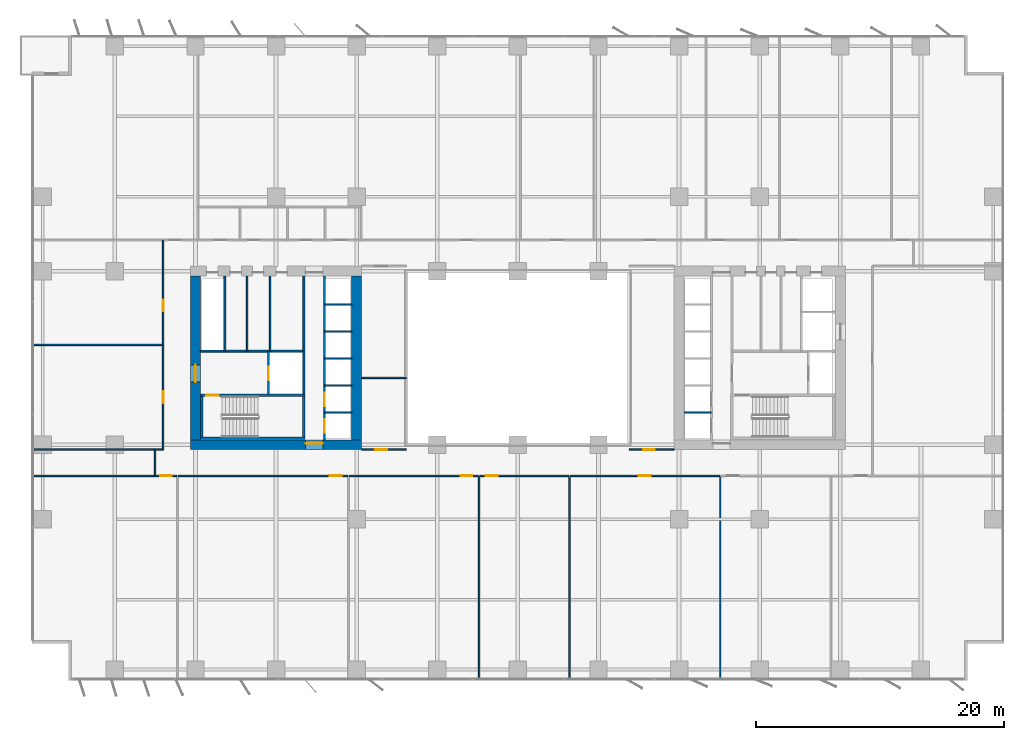
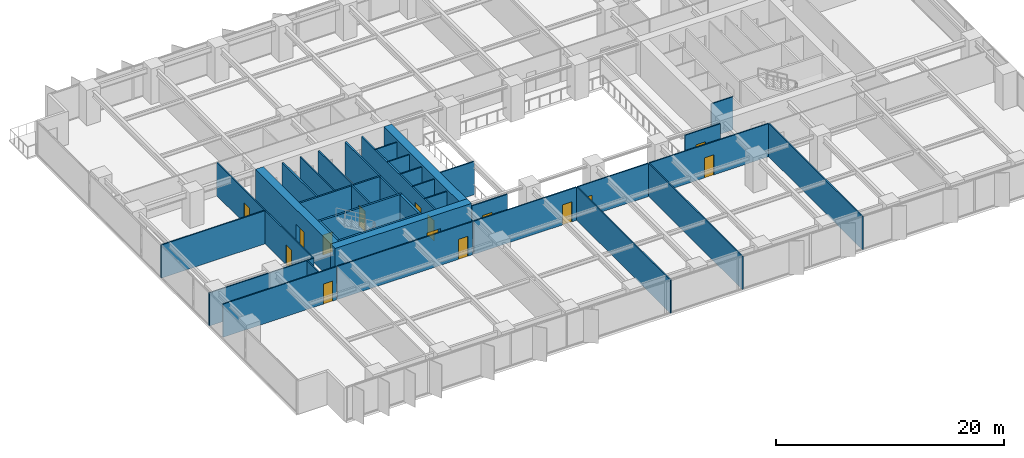
# One storey, part 13 of 20: 37 walls, 15 doors, 15 openings.
"""IFC4 building model written with IfcOpenShell, lengths in metres."""

from ifc_helpers import new_model, si_unit, direction, frame, frame_2d, origin, place, context, subcontext, project, spatial, rectangle, extrude, material, layer, layer_set, type_object, element, fill, save


model = new_model("IFC4")

# Units and contexts
model_context = context("Model", 3, precision=1e-05, world=origin(), true_north=direction((0.0, 1.0)))
body_context = subcontext(model_context, "Body", "Model", "MODEL_VIEW")
ifc_project = project(units=[si_unit("LENGTHUNIT", "METRE"), si_unit("AREAUNIT", "SQUARE_METRE"), si_unit("VOLUMEUNIT", "CUBIC_METRE"), si_unit("PLANEANGLEUNIT", "RADIAN"), si_unit("MASSUNIT", "GRAM", prefix="KILO")], contexts=[model_context])

# Site, building, storey
site_placement = place(None, origin())
site = spatial("IfcSite", under=ifc_project, at=site_placement, CompositionType="ELEMENT")
building_placement = place(site_placement, origin())
building = spatial("IfcBuilding", under=site, at=building_placement, Name="Putna Gate Headquarters", CompositionType="ELEMENT")
storey_placement = place(building_placement, frame((0.0, 0.0, 73.39990234375)))
storey = spatial("IfcBuildingStorey", under=building, at=storey_placement, Name="L17", CompositionType="ELEMENT", Elevation=73.39990234375)

# Wall, opening, door
ifc_material_1 = material(Name="Concrete C60/75", Category="concrete")
ifc_layer_1 = layer(ifc_material_1, 0.800048828125)
ifc_layer_set_1 = layer_set([ifc_layer_1], Name="Concrete C60/75")
wall_type_1 = type_object("IfcWallType", Name="WALL-CORE-800", PredefinedType="SHEAR", material=ifc_layer_set_1)
wall_1_placement = place(storey_placement, frame((12.60009765625, 19.0, 0.0), z_axis=(0.0, 0.0, 1.0), x_axis=(1.0, 0.0, 0.0)))
wall_1 = element("IfcWall", 1, at=wall_1_placement, inside=storey, type_object=wall_type_1, Name="L17 WC Split Core Shear Wall S", PredefinedType="SHEAR", context=body_context, shape_type="SweptSolid", body=[
    extrude(rectangle(XDim=13.7998046875, YDim=0.800048828125, at=frame_2d((6.89990234375, 0.0))), origin(), (0.0, 0.0, 1.0), 3.800048828125),
])
opening_1_placement = place(wall_1_placement, frame((9.280029296875, 0.0, 0.0)))
opening_1 = element("IfcOpeningElement", 2, at=opening_1_placement, cuts=wall_1, Name="Opening FDD-140", PredefinedType="OPENING", context=body_context, shape_type="SweptSolid", body=[
    extrude(rectangle(XDim=1.39990234375, YDim=2.199951171875, at=frame_2d((0.699951171875, 1.10009765625))), frame((0.0, 0.409912109375, 0.0), z_axis=(0.0, -1.0, 0.0), x_axis=(1.0, 0.0, 0.0)), (0.0, 0.0, 1.0), 0.820068359375),
])
ifc_material_2 = material(Name="Double steel fire door", Category="steel")
door_type_1 = type_object("IfcDoorType", Name="DOOR-FIRE-DBL-1400", OperationType="DOUBLE_DOOR_SINGLE_SWING", PredefinedType="DOOR", material=ifc_material_2)
door_1_placement = place(opening_1_placement, origin())
door_1 = element("IfcDoor", 3, at=door_1_placement, inside=storey, type_object=door_type_1, Name="L17 West Lift Lobby South Door", OperationType="DOUBLE_DOOR_SINGLE_SWING", OverallHeight=2.199951171875, OverallWidth=1.39990234375, PredefinedType="DOOR", context=body_context, shape_type="SweptSolid", body=[
    extrude(rectangle(XDim=1.39990234375, YDim=2.199951171875, at=frame_2d((0.699951171875, 1.10009765625))), frame((0.0, 0.125, 0.0), z_axis=(0.0, -1.0, 0.0), x_axis=(1.0, 0.0, 0.0)), (0.0, 0.0, 1.0), 0.050048828125),
])
fill(opening_1, door_1)

wall_2_placement = place(storey_placement, frame((13.0, 19.39990234375, 0.0), z_axis=(0.0, 0.0, 1.0), x_axis=(0.0, 1.0, 0.0)))
wall_2 = element("IfcWall", 4, at=wall_2_placement, inside=storey, type_object=wall_type_1, Name="L17 WC Split Core Shear Wall W", PredefinedType="SHEAR", context=body_context, shape_type="SweptSolid", body=[
    extrude(rectangle(XDim=13.2001953125, YDim=0.800048828125, at=frame_2d((6.60009765625, 0.0))), origin(), (0.0, 0.0, 1.0), 3.800048828125),
])
opening_2_placement = place(wall_2_placement, frame((4.64990234375, 0.0, 0.0)))
opening_2 = element("IfcOpeningElement", 5, at=opening_2_placement, cuts=wall_2, Name="Opening FDD-140", PredefinedType="OPENING", context=body_context, shape_type="SweptSolid", body=[
    extrude(rectangle(XDim=1.39990234375, YDim=2.199951171875, at=frame_2d((0.699951171875, 1.10009765625))), frame((0.0, 0.409912109375, 0.0), z_axis=(0.0, -1.0, 0.0), x_axis=(1.0, 0.0, 0.0)), (0.0, 0.0, 1.0), 0.820068359375),
])
door_2_placement = place(opening_2_placement, origin())
door_2 = element("IfcDoor", 6, at=door_2_placement, inside=storey, type_object=door_type_1, Name="L17 West Firefighting Lobby Door", OperationType="DOUBLE_DOOR_SINGLE_SWING", OverallHeight=2.199951171875, OverallWidth=1.39990234375, PredefinedType="DOOR", context=body_context, shape_type="SweptSolid", body=[
    extrude(rectangle(XDim=1.39990234375, YDim=2.199951171875, at=frame_2d((0.699951171875, 1.10009765625))), frame((0.0, 0.02490234375, 0.0), z_axis=(0.0, -1.0, 0.0), x_axis=(1.0, 0.0, 0.0)), (0.0, 0.0, 1.0), 0.050048828125),
])
fill(opening_2, door_2)

# Walls
wall_3_placement = place(storey_placement, frame((26.0, 19.39990234375, 0.0), z_axis=(0.0, 0.0, 1.0), x_axis=(0.0, 1.0, 0.0)))
element("IfcWall", 7, at=wall_3_placement, inside=storey, type_object=wall_type_1, Name="L17 WC Split Core Shear Wall E", PredefinedType="SHEAR", context=body_context, shape_type="SweptSolid", body=[
    extrude(rectangle(XDim=13.2001953125, YDim=0.800048828125, at=frame_2d((6.60009765625, 0.0))), origin(), (0.0, 0.0, 1.0), 3.800048828125),
])
ifc_material_3 = material(Name="Acoustic gypsum board on metal stud")
ifc_layer_2 = layer(ifc_material_3, 0.1201171875)
ifc_layer_set_2 = layer_set([ifc_layer_2], Name="Acoustic gypsum board on metal stud")
wall_type_2 = type_object("IfcWallType", Name="WALL-PART-120", PredefinedType="PARTITIONING", material=ifc_layer_set_2)
wall_4_placement = place(storey_placement, frame((26.39990234375, 24.39990234375, 0.0), z_axis=(0.0, 0.0, 1.0), x_axis=(1.0, 0.0, 0.0)))
element("IfcWall", 8, at=wall_4_placement, inside=storey, type_object=wall_type_2, Name="L17 Interior Wall PART-L17-ATR-W-DIV", PredefinedType="PARTITIONING", context=body_context, shape_type="SweptSolid", body=[
    extrude(rectangle(XDim=3.60009765625, YDim=0.1201171875, at=frame_2d((1.800048828125, 0.0))), origin(), (0.0, 0.0, 1.0), 3.550048828125),
])

# Wall, opening, door
wall_5_placement = place(storey_placement, frame((26.39990234375, 18.60009765625, 0.0), z_axis=(0.0, 0.0, 1.0), x_axis=(1.0, 0.0, 0.0)))
wall_5 = element("IfcWall", 9, at=wall_5_placement, inside=storey, type_object=wall_type_2, Name="L17 Interior Wall PART-L17-ATR-W-S", PredefinedType="PARTITIONING", context=body_context, shape_type="SweptSolid", body=[
    extrude(rectangle(XDim=3.60009765625, YDim=0.1201171875, at=frame_2d((1.800048828125, 0.0))), origin(), (0.0, 0.0, 1.0), 3.550048828125),
])
opening_3_placement = place(wall_5_placement, frame((1.10009765625, 0.0, 0.0)))
opening_3 = element("IfcOpeningElement", 10, at=opening_3_placement, cuts=wall_5, Name="Opening ID-95", PredefinedType="OPENING", context=body_context, shape_type="SweptSolid", body=[
    extrude(rectangle(XDim=0.949951171875, YDim=2.14990234375, at=frame_2d((0.47509765625, 1.074951171875))), frame((0.0, 0.070068359375, 0.0), z_axis=(0.0, -1.0, 0.0), x_axis=(1.0, 0.0, 0.0)), (0.0, 0.0, 1.0), 0.14013671875),
])
ifc_material_4 = material(Name="Veneered acoustic timber door", Category="wood")
door_type_2 = type_object("IfcDoorType", Name="DOOR-OFF-950", OperationType="NOTDEFINED", PredefinedType="DOOR", material=ifc_material_4)
door_3_placement = place(opening_3_placement, origin())
door_3 = element("IfcDoor", 11, at=door_3_placement, inside=storey, type_object=door_type_2, Name="L17 West Atrium South Study Door", OperationType="SINGLE_SWING_LEFT", OverallHeight=2.14990234375, OverallWidth=0.949951171875, PredefinedType="DOOR", context=body_context, shape_type="SweptSolid", body=[
    extrude(rectangle(XDim=0.949951171875, YDim=2.14990234375, at=frame_2d((0.47509765625, 1.074951171875))), frame((0.0, 0.02490234375, 0.0), z_axis=(0.0, -1.0, 0.0), x_axis=(1.0, 0.0, 0.0)), (0.0, 0.0, 1.0), 0.050048828125),
])
fill(opening_3, door_3)

wall_6_placement = place(storey_placement, frame((48.0, 18.60009765625, 0.0), z_axis=(0.0, 0.0, 1.0), x_axis=(1.0, 0.0, 0.0)))
wall_6 = element("IfcWall", 12, at=wall_6_placement, inside=storey, type_object=wall_type_2, Name="L17 Interior Wall PART-L17-ATR-E-S", PredefinedType="PARTITIONING", context=body_context, shape_type="SweptSolid", body=[
    extrude(rectangle(XDim=3.60009765625, YDim=0.1201171875, at=frame_2d((1.800048828125, 0.0))), origin(), (0.0, 0.0, 1.0), 3.550048828125),
])
opening_4_placement = place(wall_6_placement, frame((1.10009765625, 0.0, 0.0)))
opening_4 = element("IfcOpeningElement", 13, at=opening_4_placement, cuts=wall_6, Name="Opening ID-95", PredefinedType="OPENING", context=body_context, shape_type="SweptSolid", body=[
    extrude(rectangle(XDim=0.949951171875, YDim=2.14990234375, at=frame_2d((0.47509765625, 1.074951171875))), frame((0.0, 0.070068359375, 0.0), z_axis=(0.0, -1.0, 0.0), x_axis=(1.0, 0.0, 0.0)), (0.0, 0.0, 1.0), 0.14013671875),
])
door_4_placement = place(opening_4_placement, origin())
door_4 = element("IfcDoor", 14, at=door_4_placement, inside=storey, type_object=door_type_2, Name="L17 East Atrium Gallery Lounge Door", OperationType="SINGLE_SWING_LEFT", OverallHeight=2.14990234375, OverallWidth=0.949951171875, PredefinedType="DOOR", context=body_context, shape_type="SweptSolid", body=[
    extrude(rectangle(XDim=0.949951171875, YDim=2.14990234375, at=frame_2d((0.47509765625, 1.074951171875))), frame((0.0, 0.02490234375, 0.0), z_axis=(0.0, -1.0, 0.0), x_axis=(1.0, 0.0, 0.0)), (0.0, 0.0, 1.0), 0.050048828125),
])
fill(opening_4, door_4)

# Walls
for number, where, z_axis, x_axis, name in (
    (15, (35.87060546875, 0.02001953125, 0.0), (0.0, 0.0, 1.0), (0.0, 1.0, 0.0), "L17 Interior Wall PART-L17-SB-DIV-03"),
    (16, (43.151611328125, 0.02001953125, 0.0), (0.0, 0.0, 1.0), (0.0, 1.0, 0.0), "L17 Interior Wall PART-L17-SB-DIV-04"),
    (17, (55.318115234375, 0.02001953125, 0.0), (0.0, 0.0, 1.0), (0.0, 1.0, 0.0), "L17 Interior Wall PART-L17-SB-DIV-05"),
):
    element("IfcWall", number, at=place(storey_placement, frame(where, z_axis=z_axis, x_axis=x_axis)), inside=storey, type_object=wall_type_2, Name=name, PredefinedType="PARTITIONING", context=body_context, shape_type="SweptSolid", body=[
        extrude(rectangle(XDim=16.419921875, YDim=0.1201171875, at=frame_2d((8.2099609375, 0.0))), origin(), (0.0, 0.0, 1.0), 3.550048828125),
    ])
wall_7_placement = place(storey_placement, frame((-0.179931640625, 27.050048828125, 0.0), z_axis=(0.0, 0.0, 1.0), x_axis=(1.0, 0.0, 0.0)))
element("IfcWall", 18, at=wall_7_placement, inside=storey, type_object=wall_type_2, Name="L17 Interior Wall PART-L17-WW-DIV-1", PredefinedType="PARTITIONING", context=body_context, shape_type="SweptSolid", body=[
    extrude(rectangle(XDim=10.579833984375, YDim=0.1201171875, at=frame_2d((5.2900390625, 0.0))), origin(), (0.0, 0.0, 1.0), 3.550048828125),
])
ifc_material_5 = material(Name="Fire-rated shaftwall gypsum board on metal stud")
ifc_layer_3 = layer(ifc_material_5, 0.1201171875)
ifc_layer_set_3 = layer_set([ifc_layer_3], Name="Fire-rated shaftwall gypsum board on metal stud")
wall_type_3 = type_object("IfcWallType", Name="WALL-PART-120-EI120", PredefinedType="PARTITIONING", material=ifc_layer_set_3)
for number, where, z_axis, x_axis, name in (
    (19, (23.39990234375, 21.610107421875, 0.0), (0.0, 0.0, 1.0), (1.0, 0.0, 0.0), "L17 Interior Wall CWINT-L17-WC-LF01-DIV"),
    (20, (23.39990234375, 23.780029296875, 0.0), (0.0, 0.0, 1.0), (1.0, 0.0, 0.0), "L17 Interior Wall CWINT-L17-WC-LF02-DIV"),
    (21, (23.39990234375, 25.949951171875, 0.0), (0.0, 0.0, 1.0), (1.0, 0.0, 0.0), "L17 Interior Wall CWINT-L17-WC-LF05-DIV"),
    (22, (23.39990234375, 28.1201171875, 0.0), (0.0, 0.0, 1.0), (1.0, 0.0, 0.0), "L17 Interior Wall CWINT-L17-WC-LF06-DIV"),
    (23, (23.39990234375, 30.31005859375, 0.0), (0.0, 0.0, 1.0), (1.0, 0.0, 0.0), "L17 Interior Wall CWINT-L17-WC-LF09-DIV"),
    (24, (52.39990234375, 21.610107421875, 0.0), (0.0, 0.0, 1.0), (1.0, 0.0, 0.0), "L17 Interior Wall CWINT-L17-EC-LF03-DIV"),
):
    element("IfcWall", number, at=place(storey_placement, frame(where, z_axis=z_axis, x_axis=x_axis)), inside=storey, type_object=wall_type_3, Name=name, PredefinedType="PARTITIONING", context=body_context, shape_type="SweptSolid", body=[
        extrude(rectangle(XDim=2.2001953125, YDim=0.1201171875, at=frame_2d((1.10009765625, 0.0))), origin(), (0.0, 0.0, 1.0), 3.550048828125),
    ])
ifc_material_6 = material(Name="Fire-rated gypsum board on metal stud")
ifc_layer_4 = layer(ifc_material_6, 0.1201171875)
ifc_layer_set_4 = layer_set([ifc_layer_4], Name="Fire-rated gypsum board on metal stud")
wall_type_4 = type_object("IfcWallType", Name="WALL-PART-120-RATED", PredefinedType="PARTITIONING", material=ifc_layer_set_4)
for number, where, z_axis, x_axis, name in (
    (25, (17.169921875, 26.56005859375, 0.0), (0.0, 0.0, 1.0), (0.0, 1.0, 0.0), "L17 Interior Wall CWINT-L17-WC-K2-D1"),
    (26, (19.02001953125, 26.56005859375, 0.0), (0.0, 0.0, 1.0), (0.0, 1.0, 0.0), "L17 Interior Wall CWINT-L17-WC-K2-D2"),
):
    element("IfcWall", number, at=place(storey_placement, frame(where, z_axis=z_axis, x_axis=x_axis)), inside=storey, type_object=wall_type_4, Name=name, PredefinedType="PARTITIONING", context=body_context, shape_type="SweptSolid", body=[
        extrude(rectangle(XDim=6.0400390625, YDim=0.1201171875, at=frame_2d((3.02001953125, 0.0))), origin(), (0.0, 0.0, 1.0), 3.550048828125),
    ])
wall_8_placement = place(storey_placement, frame((9.74560546875, 16.5, 0.0), z_axis=(0.0, 0.0, 1.0), x_axis=(0.0, 1.0, 0.0)))
element("IfcWall", 27, at=wall_8_placement, inside=storey, type_object=wall_type_4, Name="L17 Interior Wall PART-L17-CORRS-CAPW", PredefinedType="PARTITIONING", context=body_context, shape_type="SweptSolid", body=[
    extrude(rectangle(XDim=2.10009765625, YDim=0.1201171875, at=frame_2d((1.050048828125, 0.0))), origin(), (0.0, 0.0, 1.0), 3.550048828125),
])

# Wall, opening, door
wall_9_placement = place(storey_placement, frame((-0.02001953125, 16.5, 0.0), z_axis=(0.0, 0.0, 1.0), x_axis=(1.0, 0.0, 0.0)))
wall_9 = element("IfcWall", 28, at=wall_9_placement, inside=storey, type_object=wall_type_4, Name="L17 Interior Wall PART-L17-SB-CW-01", PredefinedType="PARTITIONING", context=body_context, shape_type="SweptSolid", body=[
    extrude(rectangle(XDim=11.505615234375, YDim=0.1201171875, at=frame_2d((5.7529296875, 0.0))), origin(), (0.0, 0.0, 1.0), 3.550048828125),
])
opening_5_placement = place(wall_9_placement, frame((10.160400390625, 0.0, 0.0)))
opening_5 = element("IfcOpeningElement", 29, at=opening_5_placement, cuts=wall_9, Name="Opening FD-95", PredefinedType="OPENING", context=body_context, shape_type="SweptSolid", body=[
    extrude(rectangle(XDim=0.949951171875, YDim=2.14990234375, at=frame_2d((0.47509765625, 1.074951171875))), frame((0.0, 0.070068359375, 0.0), z_axis=(0.0, -1.0, 0.0), x_axis=(1.0, 0.0, 0.0)), (0.0, 0.0, 1.0), 0.14013671875),
])
ifc_material_7 = material(Name="Acoustic timber fire door", Category="wood")
door_type_3 = type_object("IfcDoorType", Name="DOOR-FIRE-950", OperationType="NOTDEFINED", PredefinedType="DOOR", material=ifc_material_7)
door_5_placement = place(opening_5_placement, origin())
door_5 = element("IfcDoor", 30, at=door_5_placement, inside=storey, type_object=door_type_3, Name="L17 Cellular Office 2 Door", OperationType="SINGLE_SWING_LEFT", OverallHeight=2.14990234375, OverallWidth=0.949951171875, PredefinedType="DOOR", context=body_context, shape_type="SweptSolid", body=[
    extrude(rectangle(XDim=0.949951171875, YDim=2.14990234375, at=frame_2d((0.47509765625, 1.074951171875))), frame((0.0, 0.02490234375, 0.0), z_axis=(0.0, -1.0, 0.0), x_axis=(1.0, 0.0, 0.0)), (0.0, 0.0, 1.0), 0.050048828125),
])
fill(opening_5, door_5)

wall_10_placement = place(storey_placement, frame((11.60546875, 16.5, 0.0), z_axis=(0.0, 0.0, 1.0), x_axis=(1.0, 0.0, 0.0)))
wall_10 = element("IfcWall", 31, at=wall_10_placement, inside=storey, type_object=wall_type_4, Name="L17 Interior Wall PART-L17-SB-CW-02", PredefinedType="PARTITIONING", context=body_context, shape_type="SweptSolid", body=[
    extrude(rectangle(XDim=13.669677734375, YDim=0.1201171875, at=frame_2d((6.8349609375, 0.0))), origin(), (0.0, 0.0, 1.0), 3.550048828125),
])
opening_6_placement = place(wall_10_placement, frame((12.23974609375, 0.0, 0.0)))
opening_6 = element("IfcOpeningElement", 32, at=opening_6_placement, cuts=wall_10, Name="Opening FD-95", PredefinedType="OPENING", context=body_context, shape_type="SweptSolid", body=[
    extrude(rectangle(XDim=0.949951171875, YDim=2.14990234375, at=frame_2d((0.47509765625, 1.074951171875))), frame((0.0, 0.070068359375, 0.0), z_axis=(0.0, -1.0, 0.0), x_axis=(1.0, 0.0, 0.0)), (0.0, 0.0, 1.0), 0.14013671875),
])
door_6_placement = place(opening_6_placement, origin())
door_6 = element("IfcDoor", 33, at=door_6_placement, inside=storey, type_object=door_type_3, Name="L17 Conference Meeting Room 6 Door", OperationType="SINGLE_SWING_RIGHT", OverallHeight=2.14990234375, OverallWidth=0.949951171875, PredefinedType="DOOR", context=body_context, shape_type="SweptSolid", body=[
    extrude(rectangle(XDim=0.949951171875, YDim=2.14990234375, at=frame_2d((0.47509765625, 1.074951171875))), frame((0.0, 0.02490234375, 0.0), z_axis=(0.0, -1.0, 0.0), x_axis=(1.0, 0.0, 0.0)), (0.0, 0.0, 1.0), 0.050048828125),
])
fill(opening_6, door_6)

wall_11_placement = place(storey_placement, frame((25.395263671875, 16.5, 0.0), z_axis=(0.0, 0.0, 1.0), x_axis=(1.0, 0.0, 0.0)))
wall_11 = element("IfcWall", 34, at=wall_11_placement, inside=storey, type_object=wall_type_4, Name="L17 Interior Wall PART-L17-SB-CW-03", PredefinedType="PARTITIONING", context=body_context, shape_type="SweptSolid", body=[
    extrude(rectangle(XDim=10.415283203125, YDim=0.1201171875, at=frame_2d((5.20751953125, 0.0))), origin(), (0.0, 0.0, 1.0), 3.550048828125),
])
opening_7_placement = place(wall_11_placement, frame((8.9853515625, 0.0, 0.0)))
opening_7 = element("IfcOpeningElement", 35, at=opening_7_placement, cuts=wall_11, Name="Opening FD-95", PredefinedType="OPENING", context=body_context, shape_type="SweptSolid", body=[
    extrude(rectangle(XDim=0.949951171875, YDim=2.14990234375, at=frame_2d((0.47509765625, 1.074951171875))), frame((0.0, 0.070068359375, 0.0), z_axis=(0.0, -1.0, 0.0), x_axis=(1.0, 0.0, 0.0)), (0.0, 0.0, 1.0), 0.14013671875),
])
door_7_placement = place(opening_7_placement, origin())
door_7 = element("IfcDoor", 36, at=door_7_placement, inside=storey, type_object=door_type_3, Name="L17 Conference Meeting Room 7 Door", OperationType="SINGLE_SWING_LEFT", OverallHeight=2.14990234375, OverallWidth=0.949951171875, PredefinedType="DOOR", context=body_context, shape_type="SweptSolid", body=[
    extrude(rectangle(XDim=0.949951171875, YDim=2.14990234375, at=frame_2d((0.47509765625, 1.074951171875))), frame((0.0, 0.02490234375, 0.0), z_axis=(0.0, -1.0, 0.0), x_axis=(1.0, 0.0, 0.0)), (0.0, 0.0, 1.0), 0.050048828125),
])
fill(opening_7, door_7)

wall_12_placement = place(storey_placement, frame((35.9306640625, 16.5, 0.0), z_axis=(0.0, 0.0, 1.0), x_axis=(1.0, 0.0, 0.0)))
wall_12 = element("IfcWall", 37, at=wall_12_placement, inside=storey, type_object=wall_type_4, Name="L17 Interior Wall PART-L17-SB-CW-04", PredefinedType="PARTITIONING", context=body_context, shape_type="SweptSolid", body=[
    extrude(rectangle(XDim=7.1611328125, YDim=0.1201171875, at=frame_2d((3.58056640625, 0.0))), origin(), (0.0, 0.0, 1.0), 3.550048828125),
])
opening_8_placement = place(wall_12_placement, frame((0.47998046875, 0.0, 0.0)))
opening_8 = element("IfcOpeningElement", 38, at=opening_8_placement, cuts=wall_12, Name="Opening FD-95", PredefinedType="OPENING", context=body_context, shape_type="SweptSolid", body=[
    extrude(rectangle(XDim=0.949951171875, YDim=2.14990234375, at=frame_2d((0.47509765625, 1.074951171875))), frame((0.0, 0.070068359375, 0.0), z_axis=(0.0, -1.0, 0.0), x_axis=(1.0, 0.0, 0.0)), (0.0, 0.0, 1.0), 0.14013671875),
])
door_8_placement = place(opening_8_placement, origin())
door_8 = element("IfcDoor", 39, at=door_8_placement, inside=storey, type_object=door_type_3, Name="L17 Collaborative Breakout Lounge 1 Door", OperationType="SINGLE_SWING_RIGHT", OverallHeight=2.14990234375, OverallWidth=0.949951171875, PredefinedType="DOOR", context=body_context, shape_type="SweptSolid", body=[
    extrude(rectangle(XDim=0.949951171875, YDim=2.14990234375, at=frame_2d((0.47509765625, 1.074951171875))), frame((0.0, 0.02490234375, 0.0), z_axis=(0.0, -1.0, 0.0), x_axis=(1.0, 0.0, 0.0)), (0.0, 0.0, 1.0), 0.050048828125),
])
fill(opening_8, door_8)

wall_13_placement = place(storey_placement, frame((43.211669921875, 16.5, 0.0), z_axis=(0.0, 0.0, 1.0), x_axis=(1.0, 0.0, 0.0)))
wall_13 = element("IfcWall", 40, at=wall_13_placement, inside=storey, type_object=wall_type_4, Name="L17 Interior Wall PART-L17-SB-CW-05", PredefinedType="PARTITIONING", context=body_context, shape_type="SweptSolid", body=[
    extrude(rectangle(XDim=12.046630859375, YDim=0.1201171875, at=frame_2d((6.0234375, 0.0))), origin(), (0.0, 0.0, 1.0), 3.550048828125),
])
opening_9_placement = place(wall_13_placement, frame((5.548095703125, 0.0, 0.0)))
opening_9 = element("IfcOpeningElement", 41, at=opening_9_placement, cuts=wall_13, Name="Opening FD-95", PredefinedType="OPENING", context=body_context, shape_type="SweptSolid", body=[
    extrude(rectangle(XDim=0.949951171875, YDim=2.14990234375, at=frame_2d((0.47509765625, 1.074951171875))), frame((0.0, 0.070068359375, 0.0), z_axis=(0.0, -1.0, 0.0), x_axis=(1.0, 0.0, 0.0)), (0.0, 0.0, 1.0), 0.14013671875),
])
door_9_placement = place(opening_9_placement, origin())
door_9 = element("IfcDoor", 42, at=door_9_placement, inside=storey, type_object=door_type_3, Name="L17 Quiet Wellness Focus Studio 1 Door", OperationType="SINGLE_SWING_LEFT", OverallHeight=2.14990234375, OverallWidth=0.949951171875, PredefinedType="DOOR", context=body_context, shape_type="SweptSolid", body=[
    extrude(rectangle(XDim=0.949951171875, YDim=2.14990234375, at=frame_2d((0.47509765625, 1.074951171875))), frame((0.0, 0.02490234375, 0.0), z_axis=(0.0, -1.0, 0.0), x_axis=(1.0, 0.0, 0.0)), (0.0, 0.0, 1.0), 0.050048828125),
])
fill(opening_9, door_9)

# Wall
wall_14_placement = place(storey_placement, frame((-0.179931640625, 18.60009765625, 0.0), z_axis=(0.0, 0.0, 1.0), x_axis=(1.0, 0.0, 0.0)))
element("IfcWall", 43, at=wall_14_placement, inside=storey, type_object=wall_type_4, Name="L17 Interior Wall PART-L17-WW-S-BOUND", PredefinedType="PARTITIONING", context=body_context, shape_type="SweptSolid", body=[
    extrude(rectangle(XDim=10.579833984375, YDim=0.1201171875, at=frame_2d((5.2900390625, 0.0))), origin(), (0.0, 0.0, 1.0), 3.550048828125),
])

# Wall, opening, door
wall_15_placement = place(storey_placement, frame((10.39990234375, 18.60009765625, 0.0), z_axis=(0.0, 0.0, 1.0), x_axis=(0.0, 1.0, 0.0)))
wall_15 = element("IfcWall", 44, at=wall_15_placement, inside=storey, type_object=wall_type_4, Name="L17 Interior Wall PART-L17-WW-CW-1", PredefinedType="PARTITIONING", context=body_context, shape_type="SweptSolid", body=[
    extrude(rectangle(XDim=8.449951171875, YDim=0.1201171875, at=frame_2d((4.22509765625, 0.0))), origin(), (0.0, 0.0, 1.0), 3.550048828125),
])
opening_10_placement = place(wall_15_placement, frame((3.75, 0.0, 0.0)))
opening_10 = element("IfcOpeningElement", 45, at=opening_10_placement, cuts=wall_15, Name="Opening FD-95", PredefinedType="OPENING", context=body_context, shape_type="SweptSolid", body=[
    extrude(rectangle(XDim=0.949951171875, YDim=2.14990234375, at=frame_2d((0.47509765625, 1.074951171875))), frame((0.0, 0.070068359375, 0.0), z_axis=(0.0, -1.0, 0.0), x_axis=(1.0, 0.0, 0.0)), (0.0, 0.0, 1.0), 0.14013671875),
])
door_10_placement = place(opening_10_placement, origin())
door_10 = element("IfcDoor", 46, at=door_10_placement, inside=storey, type_object=door_type_3, Name="L17 West Project Meeting Room 1 Door", OperationType="SINGLE_SWING_RIGHT", OverallHeight=2.14990234375, OverallWidth=0.949951171875, PredefinedType="DOOR", context=body_context, shape_type="SweptSolid", body=[
    extrude(rectangle(XDim=0.949951171875, YDim=2.14990234375, at=frame_2d((0.47509765625, 1.074951171875))), frame((0.0, 0.02490234375, 0.0), z_axis=(0.0, -1.0, 0.0), x_axis=(1.0, 0.0, 0.0)), (0.0, 0.0, 1.0), 0.050048828125),
])
fill(opening_10, door_10)

wall_16_placement = place(storey_placement, frame((10.39990234375, 27.050048828125, 0.0), z_axis=(0.0, 0.0, 1.0), x_axis=(0.0, 1.0, 0.0)))
wall_16 = element("IfcWall", 47, at=wall_16_placement, inside=storey, type_object=wall_type_4, Name="L17 Interior Wall PART-L17-WW-CW-2", PredefinedType="PARTITIONING", context=body_context, shape_type="SweptSolid", body=[
    extrude(rectangle(XDim=8.449951171875, YDim=0.1201171875, at=frame_2d((4.22509765625, 0.0))), origin(), (0.0, 0.0, 1.0), 3.550048828125),
])
opening_11_placement = place(wall_16_placement, frame((2.699951171875, 0.0, 0.0)))
opening_11 = element("IfcOpeningElement", 48, at=opening_11_placement, cuts=wall_16, Name="Opening FD-95", PredefinedType="OPENING", context=body_context, shape_type="SweptSolid", body=[
    extrude(rectangle(XDim=0.949951171875, YDim=2.14990234375, at=frame_2d((0.47509765625, 1.074951171875))), frame((0.0, 0.070068359375, 0.0), z_axis=(0.0, -1.0, 0.0), x_axis=(1.0, 0.0, 0.0)), (0.0, 0.0, 1.0), 0.14013671875),
])
door_11_placement = place(opening_11_placement, origin())
door_11 = element("IfcDoor", 49, at=door_11_placement, inside=storey, type_object=door_type_3, Name="L17 West Project Meeting Room 2 Door", OperationType="SINGLE_SWING_LEFT", OverallHeight=2.14990234375, OverallWidth=0.949951171875, PredefinedType="DOOR", context=body_context, shape_type="SweptSolid", body=[
    extrude(rectangle(XDim=0.949951171875, YDim=2.14990234375, at=frame_2d((0.47509765625, 1.074951171875))), frame((0.0, 0.02490234375, 0.0), z_axis=(0.0, -1.0, 0.0), x_axis=(1.0, 0.0, 0.0)), (0.0, 0.0, 1.0), 0.050048828125),
])
fill(opening_11, door_11)

# Wall
ifc_material_8 = material(Name="Concrete C40/50", Category="concrete")
ifc_layer_5 = layer(ifc_material_8, 0.159912109375)
ifc_layer_set_5 = layer_set([ifc_layer_5], Name="Concrete C40/50")
wall_type_5 = type_object("IfcWallType", Name="WALL-SHAFT-160", PredefinedType="STANDARD", material=ifc_layer_set_5)
wall_17_placement = place(storey_placement, frame((21.739990234375, 23.090087890625, 0.0), z_axis=(0.0, 0.0, 1.0), x_axis=(0.0, 1.0, 0.0)))
element("IfcWall", 50, at=wall_17_placement, inside=storey, type_object=wall_type_5, Name="L17 Interior Wall CWINT-L17-WC-FFL-E", PredefinedType="STANDARD", context=body_context, shape_type="SweptSolid", body=[
    extrude(rectangle(XDim=3.469970703125, YDim=0.159912109375, at=frame_2d((1.73486328125, 0.0))), origin(), (0.0, 0.0, 1.0), 3.550048828125),
])

# Wall, opening, door
wall_18_placement = place(storey_placement, frame((18.8798828125, 23.090087890625, 0.0), z_axis=(0.0, 0.0, 1.0), x_axis=(0.0, 1.0, 0.0)))
wall_18 = element("IfcWall", 51, at=wall_18_placement, inside=storey, type_object=wall_type_5, Name="L17 Interior Wall CWINT-L17-WC-LF13-W", PredefinedType="STANDARD", context=body_context, shape_type="SweptSolid", body=[
    extrude(rectangle(XDim=3.469970703125, YDim=0.159912109375, at=frame_2d((1.73486328125, 0.0))), origin(), (0.0, 0.0, 1.0), 3.550048828125),
])
opening_12_placement = place(wall_18_placement, frame((1.10009765625, 0.0, 0.0)))
opening_12 = element("IfcOpeningElement", 52, at=opening_12_placement, cuts=wall_18, Name="Opening LD-1", PredefinedType="OPENING", context=body_context, shape_type="SweptSolid", body=[
    extrude(rectangle(XDim=1.10009765625, YDim=2.199951171875, at=frame_2d((0.550048828125, 1.10009765625))), frame((0.0, 0.08984375, 0.0), z_axis=(0.0, -1.0, 0.0), x_axis=(1.0, 0.0, 0.0)), (0.0, 0.0, 1.0), 0.179931640625),
])
ifc_material_9 = material(Name="Brushed bronze stainless lift landing door")
door_type_4 = type_object("IfcDoorType", Name="DOOR-LIFT-1100", OperationType="DOUBLE_DOOR_SLIDING", PredefinedType="DOOR", material=ifc_material_9)
door_12_placement = place(opening_12_placement, origin())
door_12 = element("IfcDoor", 53, at=door_12_placement, inside=storey, type_object=door_type_4, Name="L17 Lift Landing Door LD-13", OperationType="DOUBLE_DOOR_SLIDING", OverallHeight=2.199951171875, OverallWidth=1.10009765625, PredefinedType="DOOR", context=body_context, shape_type="SweptSolid", body=[
    extrude(rectangle(XDim=1.10009765625, YDim=2.199951171875, at=frame_2d((0.550048828125, 1.10009765625))), frame((0.0, 0.02490234375, 0.0), z_axis=(0.0, -1.0, 0.0), x_axis=(1.0, 0.0, 0.0)), (0.0, 0.0, 1.0), 0.050048828125),
])
fill(opening_12, door_12)

# Walls
wall_19_placement = place(storey_placement, frame((13.39990234375, 26.56005859375, 0.0), z_axis=(0.0, 0.0, 1.0), x_axis=(1.0, 0.0, 0.0)))
element("IfcWall", 54, at=wall_19_placement, inside=storey, type_object=wall_type_5, Name="L17 Interior Wall CWINT-L17-WC-FFL-N", PredefinedType="STANDARD", context=body_context, shape_type="SweptSolid", body=[
    extrude(rectangle(XDim=8.340087890625, YDim=0.159912109375, at=frame_2d((4.169921875, 0.0))), origin(), (0.0, 0.0, 1.0), 3.550048828125),
])
for number, where, z_axis, x_axis, name in (
    (55, (15.3798828125, 26.56005859375, 0.0), (0.0, 0.0, 1.0), (0.0, 1.0, 0.0), "L17 Interior Wall CWINT-L17-WC-RISER-E"),
    (56, (21.739990234375, 26.56005859375, 0.0), (0.0, 0.0, 1.0), (0.0, 1.0, 0.0), "L17 Interior Wall CWINT-L17-WC-LOB-W"),
):
    element("IfcWall", number, at=place(storey_placement, frame(where, z_axis=z_axis, x_axis=x_axis)), inside=storey, type_object=wall_type_5, Name=name, PredefinedType="STANDARD", context=body_context, shape_type="SweptSolid", body=[
        extrude(rectangle(XDim=6.0400390625, YDim=0.159912109375, at=frame_2d((3.02001953125, 0.0))), origin(), (0.0, 0.0, 1.0), 3.550048828125),
    ])

# Wall, openings, doors
wall_20_placement = place(storey_placement, frame((23.39990234375, 19.39990234375, 0.0), z_axis=(0.0, 0.0, 1.0), x_axis=(0.0, 1.0, 0.0)))
wall_20 = element("IfcWall", 57, at=wall_20_placement, inside=storey, type_object=wall_type_5, Name="L17 Interior Wall CWINT-L17-WC-PL-WALL", PredefinedType="STANDARD", context=body_context, shape_type="SweptSolid", body=[
    extrude(rectangle(XDim=13.2001953125, YDim=0.159912109375, at=frame_2d((6.60009765625, 0.0))), origin(), (0.0, 0.0, 1.0), 3.550048828125),
])
opening_13_placement = place(wall_20_placement, frame((0.550048828125, 0.0, 0.0)))
opening_13 = element("IfcOpeningElement", 58, at=opening_13_placement, cuts=wall_20, Name="Opening LD-1", PredefinedType="OPENING", context=body_context, shape_type="SweptSolid", body=[
    extrude(rectangle(XDim=1.10009765625, YDim=2.199951171875, at=frame_2d((0.550048828125, 1.10009765625))), frame((0.0, 0.08984375, 0.0), z_axis=(0.0, -1.0, 0.0), x_axis=(1.0, 0.0, 0.0)), (0.0, 0.0, 1.0), 0.179931640625),
])
opening_14_placement = place(wall_20_placement, frame((2.699951171875, 0.0, 0.0)))
opening_14 = element("IfcOpeningElement", 59, at=opening_14_placement, cuts=wall_20, Name="Opening LD-1", PredefinedType="OPENING", context=body_context, shape_type="SweptSolid", body=[
    extrude(rectangle(XDim=1.10009765625, YDim=2.199951171875, at=frame_2d((0.550048828125, 1.10009765625))), frame((0.0, 0.08984375, 0.0), z_axis=(0.0, -1.0, 0.0), x_axis=(1.0, 0.0, 0.0)), (0.0, 0.0, 1.0), 0.179931640625),
])
door_13_placement = place(opening_13_placement, origin())
door_13 = element("IfcDoor", 60, at=door_13_placement, inside=storey, type_object=door_type_4, Name="L17 Lift Landing Door LD-01", OperationType="DOUBLE_DOOR_SLIDING", OverallHeight=2.199951171875, OverallWidth=1.10009765625, PredefinedType="DOOR", context=body_context, shape_type="SweptSolid", body=[
    extrude(rectangle(XDim=1.10009765625, YDim=2.199951171875, at=frame_2d((0.550048828125, 1.10009765625))), frame((0.0, 0.02490234375, 0.0), z_axis=(0.0, -1.0, 0.0), x_axis=(1.0, 0.0, 0.0)), (0.0, 0.0, 1.0), 0.050048828125),
])
fill(opening_13, door_13)
door_14_placement = place(opening_14_placement, origin())
door_14 = element("IfcDoor", 61, at=door_14_placement, inside=storey, type_object=door_type_4, Name="L17 Lift Landing Door LD-02", OperationType="DOUBLE_DOOR_SLIDING", OverallHeight=2.199951171875, OverallWidth=1.10009765625, PredefinedType="DOOR", context=body_context, shape_type="SweptSolid", body=[
    extrude(rectangle(XDim=1.10009765625, YDim=2.199951171875, at=frame_2d((0.550048828125, 1.10009765625))), frame((0.0, 0.02490234375, 0.0), z_axis=(0.0, -1.0, 0.0), x_axis=(1.0, 0.0, 0.0)), (0.0, 0.0, 1.0), 0.050048828125),
])
fill(opening_14, door_14)

# Wall
ifc_layer_6 = layer(ifc_material_8, 0.199951171875)
ifc_layer_set_6 = layer_set([ifc_layer_6], Name="Concrete C40/50")
wall_type_6 = type_object("IfcWallType", Name="WALL-SHAFT-RC200", PredefinedType="SHEAR", material=ifc_layer_set_6)
wall_21_placement = place(storey_placement, frame((13.409912109375, 19.510009765625, 0.0), z_axis=(0.0, 0.0, 1.0), x_axis=(1.0, 0.0, 0.0)))
element("IfcWall", 62, at=wall_21_placement, inside=storey, type_object=wall_type_6, Name="L17 Stair ST1 Structural Shaft Wall S", PredefinedType="SHEAR", context=body_context, shape_type="SweptSolid", body=[
    extrude(rectangle(XDim=8.43017578125, YDim=0.199951171875, at=frame_2d((4.215087890625, 0.0))), origin(), (0.0, 0.0, 1.0), 3.800048828125),
])

# Wall, opening, door
wall_22_placement = place(storey_placement, frame((13.409912109375, 22.989990234375, 0.0), z_axis=(0.0, 0.0, 1.0), x_axis=(1.0, 0.0, 0.0)))
wall_22 = element("IfcWall", 63, at=wall_22_placement, inside=storey, type_object=wall_type_6, Name="L17 Stair ST1 Structural Shaft Wall N", PredefinedType="SHEAR", context=body_context, shape_type="SweptSolid", body=[
    extrude(rectangle(XDim=8.43017578125, YDim=0.199951171875, at=frame_2d((4.215087890625, 0.0))), origin(), (0.0, 0.0, 1.0), 3.800048828125),
])
opening_15_placement = place(wall_22_placement, frame((0.449951171875, 0.0, 0.0)))
opening_15 = element("IfcOpeningElement", 64, at=opening_15_placement, cuts=wall_22, Name="Opening FD-100", PredefinedType="OPENING", context=body_context, shape_type="SweptSolid", body=[
    extrude(rectangle(XDim=1.0, YDim=2.14990234375, at=frame_2d((0.5, 1.074951171875))), frame((0.0, 0.10986328125, 0.0), z_axis=(0.0, -1.0, 0.0), x_axis=(1.0, 0.0, 0.0)), (0.0, 0.0, 1.0), 0.219970703125),
])
ifc_material_10 = material(Name="Powder-coated steel fire door", Category="steel")
door_type_5 = type_object("IfcDoorType", Name="DOOR-FIRE-1000", OperationType="NOTDEFINED", PredefinedType="DOOR", material=ifc_material_10)
door_15_placement = place(opening_15_placement, origin())
door_15 = element("IfcDoor", 65, at=door_15_placement, inside=storey, type_object=door_type_5, Name="L17 Stair ST1 Fire Door", OperationType="SINGLE_SWING_LEFT", OverallHeight=2.14990234375, OverallWidth=1.0, PredefinedType="DOOR", context=body_context, shape_type="SweptSolid", body=[
    extrude(rectangle(XDim=1.0, YDim=2.14990234375, at=frame_2d((0.5, 1.074951171875))), frame((0.0, 0.02490234375, 0.0), z_axis=(0.0, -1.0, 0.0), x_axis=(1.0, 0.0, 0.0)), (0.0, 0.0, 1.0), 0.050048828125),
])
fill(opening_15, door_15)

# Walls
for number, where, z_axis, x_axis, name in (
    (66, (13.510009765625, 19.610107421875, 0.0), (0.0, 0.0, 1.0), (0.0, 1.0, 0.0), "L17 Stair ST1 Structural Shaft Wall W"),
    (67, (21.739990234375, 19.610107421875, 0.0), (0.0, 0.0, 1.0), (0.0, 1.0, 0.0), "L17 Stair ST1 Structural Shaft Wall E"),
):
    element("IfcWall", number, at=place(storey_placement, frame(where, z_axis=z_axis, x_axis=x_axis)), inside=storey, type_object=wall_type_6, Name=name, PredefinedType="SHEAR", context=body_context, shape_type="SweptSolid", body=[
        extrude(rectangle(XDim=3.27978515625, YDim=0.199951171875, at=frame_2d((1.639892578125, 0.0))), origin(), (0.0, 0.0, 1.0), 3.800048828125),
    ])

save(model, "model.ifc")
